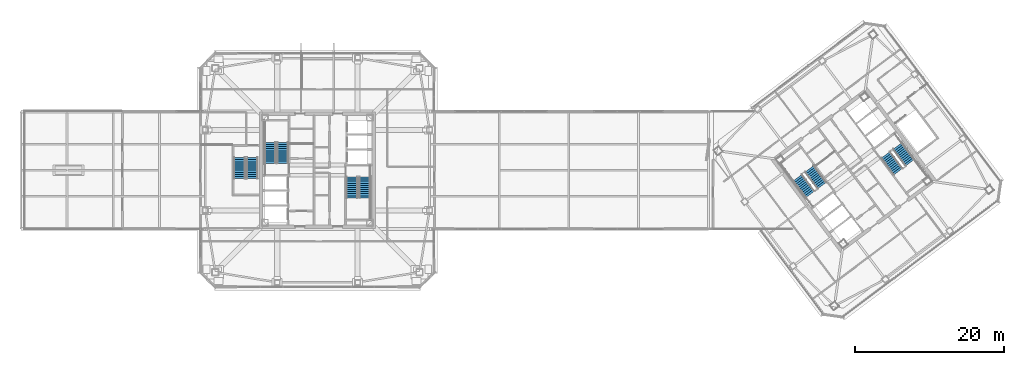
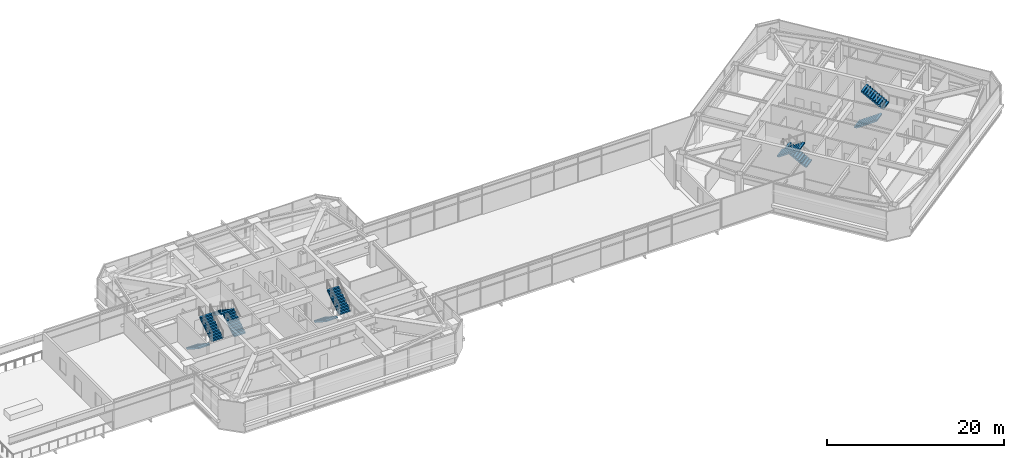
# One storey, part 45 of 51: 10 stair flights, 5 elements without a shape of their own.
"""IFC4 building model written with IfcOpenShell, lengths in metres."""

from ifc_helpers import new_model, si_unit, direction, frame, origin, place, context, subcontext, project, spatial, polyline, outline, extrude, material, type_object, element, aggregate, save


model = new_model("IFC4")

# Units and contexts
model_context = context("Model", 3, precision=1e-05, world=origin(), true_north=direction((0.0, 1.0)))
body_context = subcontext(model_context, "Body", "Model", "MODEL_VIEW")
ifc_project = project(units=[si_unit("LENGTHUNIT", "METRE"), si_unit("AREAUNIT", "SQUARE_METRE"), si_unit("VOLUMEUNIT", "CUBIC_METRE"), si_unit("PLANEANGLEUNIT", "RADIAN"), si_unit("MASSUNIT", "GRAM", prefix="KILO")], contexts=[model_context])

# Site, building, storey
site_placement = place(None, origin())
site = spatial("IfcSite", under=ifc_project, at=site_placement, CompositionType="ELEMENT")
building_placement = place(site_placement, origin())
building = spatial("IfcBuilding", under=site, at=building_placement, Name="Tashvorn Skyway Center", CompositionType="ELEMENT")
storey_placement = place(building_placement, frame((0.0, 0.0, 259.39990234375)))
storey = spatial("IfcBuildingStorey", under=building, at=storey_placement, Name="L70", CompositionType="ELEMENT", Elevation=259.39990234375)

# Stair, stair flights
ifc_material = material(Name="Concrete C40/50", Category="concrete")
stair_type = type_object("IfcStairType", Name="STAIR-CORE-1500", PredefinedType="HALF_TURN_STAIR", material=ifc_material)
stair_1_placement = place(storey_placement, origin())
stair_1 = element("IfcStair", 1, at=stair_1_placement, inside=storey, type_object=stair_type, Name="L70 Tower 1 Exit Stair 1", PredefinedType="HALF_TURN_STAIR")
stair_flight_type = type_object("IfcStairFlightType", Name="SFLIGHT-1500", PredefinedType="STRAIGHT", material=ifc_material)
stair_flight_1_placement = place(storey_placement, frame((37.35009765625, 32.919921875, 0.0), z_axis=(0.0, 0.0, 1.0), x_axis=(0.0, 1.0, 0.0)))
stair_flight_1 = element("IfcStairFlight", 2, at=stair_flight_1_placement, type_object=stair_flight_type, Name="ST-T1-1 flight 1", NumberOfRisers=11, NumberOfTreads=10, PredefinedType="STRAIGHT", RiserHeight=0.181818182, TreadLength=0.28, context=body_context, shape_type="SweptSolid", body=[
    extrude(outline(polyline([(0.0, 0.0), (0.0, 0.181884765625), (0.280029296875, 0.181884765625), (0.280029296875, 0.363525390625), (0.56005859375, 0.363525390625), (0.56005859375, 0.54541015625), (0.840087890625, 0.54541015625), (0.840087890625, 0.727294921875), (1.1201171875, 0.727294921875), (1.1201171875, 0.9091796875), (1.39990234375, 0.9091796875), (1.39990234375, 1.0908203125), (1.679931640625, 1.0908203125), (1.679931640625, 1.272705078125), (1.9599609375, 1.272705078125), (1.9599609375, 1.45458984375), (2.239990234375, 1.45458984375), (2.239990234375, 1.636474609375), (2.52001953125, 1.636474609375), (2.52001953125, 1.818115234375), (2.800048828125, 1.818115234375), (2.800048828125, 2.0), (2.800048828125, 1.639404296875), (0.275146484375, 0.0), (0.0, 0.0)])), frame((0.0, 0.75, 0.0), z_axis=(0.0, -1.0, 0.0), x_axis=(1.0, 0.0, 0.0)), (0.0, 0.0, 1.0), 1.5),
])
stair_flight_2_placement = place(storey_placement, frame((35.64990234375, 35.719970703125, 2.0), z_axis=(0.0, 0.0, 1.0), x_axis=(0.0, -1.0, 0.0)))
stair_flight_2 = element("IfcStairFlight", 3, at=stair_flight_2_placement, type_object=stair_flight_type, Name="ST-T1-1 flight 2", NumberOfRisers=11, NumberOfTreads=10, PredefinedType="STRAIGHT", RiserHeight=0.181818182, TreadLength=0.28, context=body_context, shape_type="SweptSolid", body=[
    extrude(outline(polyline([(0.0, 0.0), (0.0, 0.181884765625), (0.280029296875, 0.181884765625), (0.280029296875, 0.363525390625), (0.56005859375, 0.363525390625), (0.56005859375, 0.54541015625), (0.840087890625, 0.54541015625), (0.840087890625, 0.727294921875), (1.1201171875, 0.727294921875), (1.1201171875, 0.9091796875), (1.39990234375, 0.9091796875), (1.39990234375, 1.0908203125), (1.679931640625, 1.0908203125), (1.679931640625, 1.272705078125), (1.9599609375, 1.272705078125), (1.9599609375, 1.45458984375), (2.239990234375, 1.45458984375), (2.239990234375, 1.636474609375), (2.52001953125, 1.636474609375), (2.52001953125, 1.818115234375), (2.800048828125, 1.818115234375), (2.800048828125, 2.0), (2.800048828125, 1.639404296875), (0.275146484375, 0.0), (0.0, 0.0)])), frame((0.0, 0.75, 0.0), z_axis=(0.0, -1.0, 0.0), x_axis=(1.0, 0.0, 0.0)), (0.0, 0.0, 1.0), 1.5),
])
aggregate(stair_1, [stair_flight_1, stair_flight_2])

stair_2_placement = place(storey_placement, origin())
stair_2 = element("IfcStair", 4, at=stair_2_placement, inside=storey, type_object=stair_type, Name="L70 Tower 1 Exit Stair 2", PredefinedType="HALF_TURN_STAIR")
stair_flight_3_placement = place(storey_placement, frame((46.64990234375, 31.080078125, 0.0), z_axis=(0.0, 0.0, 1.0), x_axis=(0.0, -1.0, 0.0)))
stair_flight_3 = element("IfcStairFlight", 5, at=stair_flight_3_placement, type_object=stair_flight_type, Name="ST-T1-2 flight 1", NumberOfRisers=11, NumberOfTreads=10, PredefinedType="STRAIGHT", RiserHeight=0.181818182, TreadLength=0.28, context=body_context, shape_type="SweptSolid", body=[
    extrude(outline(polyline([(0.0, 0.0), (0.0, 0.181884765625), (0.280029296875, 0.181884765625), (0.280029296875, 0.363525390625), (0.56005859375, 0.363525390625), (0.56005859375, 0.54541015625), (0.840087890625, 0.54541015625), (0.840087890625, 0.727294921875), (1.1201171875, 0.727294921875), (1.1201171875, 0.9091796875), (1.39990234375, 0.9091796875), (1.39990234375, 1.0908203125), (1.679931640625, 1.0908203125), (1.679931640625, 1.272705078125), (1.9599609375, 1.272705078125), (1.9599609375, 1.45458984375), (2.239990234375, 1.45458984375), (2.239990234375, 1.636474609375), (2.52001953125, 1.636474609375), (2.52001953125, 1.818115234375), (2.800048828125, 1.818115234375), (2.800048828125, 2.0), (2.800048828125, 1.639404296875), (0.275146484375, 0.0), (0.0, 0.0)])), frame((0.0, 0.75, 0.0), z_axis=(0.0, -1.0, 0.0), x_axis=(1.0, 0.0, 0.0)), (0.0, 0.0, 1.0), 1.5),
])
stair_flight_4_placement = place(storey_placement, frame((48.35009765625, 28.280029296875, 2.0), z_axis=(0.0, 0.0, 1.0), x_axis=(0.0, 1.0, 0.0)))
stair_flight_4 = element("IfcStairFlight", 6, at=stair_flight_4_placement, type_object=stair_flight_type, Name="ST-T1-2 flight 2", NumberOfRisers=11, NumberOfTreads=10, PredefinedType="STRAIGHT", RiserHeight=0.181818182, TreadLength=0.28, context=body_context, shape_type="SweptSolid", body=[
    extrude(outline(polyline([(0.0, 0.0), (0.0, 0.181884765625), (0.280029296875, 0.181884765625), (0.280029296875, 0.363525390625), (0.56005859375, 0.363525390625), (0.56005859375, 0.54541015625), (0.840087890625, 0.54541015625), (0.840087890625, 0.727294921875), (1.1201171875, 0.727294921875), (1.1201171875, 0.9091796875), (1.39990234375, 0.9091796875), (1.39990234375, 1.0908203125), (1.679931640625, 1.0908203125), (1.679931640625, 1.272705078125), (1.9599609375, 1.272705078125), (1.9599609375, 1.45458984375), (2.239990234375, 1.45458984375), (2.239990234375, 1.636474609375), (2.52001953125, 1.636474609375), (2.52001953125, 1.818115234375), (2.800048828125, 1.818115234375), (2.800048828125, 2.0), (2.800048828125, 1.639404296875), (0.275146484375, 0.0), (0.0, 0.0)])), frame((0.0, 0.75, 0.0), z_axis=(0.0, -1.0, 0.0), x_axis=(1.0, 0.0, 0.0)), (0.0, 0.0, 1.0), 1.5),
])
aggregate(stair_2, [stair_flight_3, stair_flight_4])

stair_3_placement = place(storey_placement, origin())
stair_3 = element("IfcStair", 7, at=stair_3_placement, inside=storey, type_object=stair_type, Name="L70 Tower 2 Exit Stair 1", PredefinedType="HALF_TURN_STAIR")
stair_flight_5_placement = place(storey_placement, frame((109.72802734375, 29.946044921875, 0.0), z_axis=(0.0, 0.0, 1.0), x_axis=(-0.600000004945, 0.799999996291, 0.0)))
stair_flight_5 = element("IfcStairFlight", 8, at=stair_flight_5_placement, type_object=stair_flight_type, Name="ST-T2-1 flight 1", NumberOfRisers=11, NumberOfTreads=10, PredefinedType="STRAIGHT", RiserHeight=0.181818182, TreadLength=0.28, context=body_context, shape_type="SweptSolid", body=[
    extrude(outline(polyline([(0.0, 0.0), (0.0, 0.181884765625), (0.280029296875, 0.181884765625), (0.280029296875, 0.363525390625), (0.56005859375, 0.363525390625), (0.56005859375, 0.54541015625), (0.840087890625, 0.54541015625), (0.840087890625, 0.727294921875), (1.1201171875, 0.727294921875), (1.1201171875, 0.9091796875), (1.39990234375, 0.9091796875), (1.39990234375, 1.0908203125), (1.679931640625, 1.0908203125), (1.679931640625, 1.272705078125), (1.9599609375, 1.272705078125), (1.9599609375, 1.45458984375), (2.239990234375, 1.45458984375), (2.239990234375, 1.636474609375), (2.52001953125, 1.636474609375), (2.52001953125, 1.818115234375), (2.800048828125, 1.818115234375), (2.800048828125, 2.0), (2.800048828125, 1.639404296875), (0.275146484375, 0.0), (0.0, 0.0)])), frame((0.0, 0.75, 0.0), z_axis=(0.0, -1.0, 0.0), x_axis=(1.0, 0.0, 0.0)), (0.0, 0.0, 1.0), 1.5),
])
stair_flight_6_placement = place(storey_placement, frame((106.464111328125, 30.998046875, 2.0), z_axis=(0.0, 0.0, 1.0), x_axis=(0.600000004945, -0.799999996291, 0.0)))
stair_flight_6 = element("IfcStairFlight", 9, at=stair_flight_6_placement, type_object=stair_flight_type, Name="ST-T2-1 flight 2", NumberOfRisers=11, NumberOfTreads=10, PredefinedType="STRAIGHT", RiserHeight=0.181818182, TreadLength=0.28, context=body_context, shape_type="SweptSolid", body=[
    extrude(outline(polyline([(0.0, 0.0), (0.0, 0.181884765625), (0.280029296875, 0.181884765625), (0.280029296875, 0.363525390625), (0.56005859375, 0.363525390625), (0.56005859375, 0.54541015625), (0.840087890625, 0.54541015625), (0.840087890625, 0.727294921875), (1.1201171875, 0.727294921875), (1.1201171875, 0.9091796875), (1.39990234375, 0.9091796875), (1.39990234375, 1.0908203125), (1.679931640625, 1.0908203125), (1.679931640625, 1.272705078125), (1.9599609375, 1.272705078125), (1.9599609375, 1.45458984375), (2.239990234375, 1.45458984375), (2.239990234375, 1.636474609375), (2.52001953125, 1.636474609375), (2.52001953125, 1.818115234375), (2.800048828125, 1.818115234375), (2.800048828125, 2.0), (2.800048828125, 1.639404296875), (0.275146484375, 0.0), (0.0, 0.0)])), frame((0.0, 0.75, 0.0), z_axis=(0.0, -1.0, 0.0), x_axis=(1.0, 0.0, 0.0)), (0.0, 0.0, 1.0), 1.5),
])
aggregate(stair_3, [stair_flight_5, stair_flight_6])

stair_4_placement = place(storey_placement, origin())
stair_4 = element("IfcStair", 10, at=stair_4_placement, inside=storey, type_object=stair_type, Name="L70 Tower 2 Exit Stair 2", PredefinedType="HALF_TURN_STAIR")
stair_flight_7_placement = place(storey_placement, frame((118.27197265625, 34.053955078125, 0.0), z_axis=(0.0, 0.0, 1.0), x_axis=(0.600000004945, -0.799999996291, 0.0)))
stair_flight_7 = element("IfcStairFlight", 11, at=stair_flight_7_placement, type_object=stair_flight_type, Name="ST-T2-2 flight 1", NumberOfRisers=11, NumberOfTreads=10, PredefinedType="STRAIGHT", RiserHeight=0.181818182, TreadLength=0.28, context=body_context, shape_type="SweptSolid", body=[
    extrude(outline(polyline([(0.0, 0.0), (0.0, 0.181884765625), (0.280029296875, 0.181884765625), (0.280029296875, 0.363525390625), (0.56005859375, 0.363525390625), (0.56005859375, 0.54541015625), (0.840087890625, 0.54541015625), (0.840087890625, 0.727294921875), (1.1201171875, 0.727294921875), (1.1201171875, 0.9091796875), (1.39990234375, 0.9091796875), (1.39990234375, 1.0908203125), (1.679931640625, 1.0908203125), (1.679931640625, 1.272705078125), (1.9599609375, 1.272705078125), (1.9599609375, 1.45458984375), (2.239990234375, 1.45458984375), (2.239990234375, 1.636474609375), (2.52001953125, 1.636474609375), (2.52001953125, 1.818115234375), (2.800048828125, 1.818115234375), (2.800048828125, 2.0), (2.800048828125, 1.639404296875), (0.275146484375, 0.0), (0.0, 0.0)])), frame((0.0, 0.75, 0.0), z_axis=(0.0, -1.0, 0.0), x_axis=(1.0, 0.0, 0.0)), (0.0, 0.0, 1.0), 1.5),
])
stair_flight_8_placement = place(storey_placement, frame((121.535888671875, 33.001953125, 2.0), z_axis=(0.0, 0.0, 1.0), x_axis=(-0.600000004945, 0.799999996291, 0.0)))
stair_flight_8 = element("IfcStairFlight", 12, at=stair_flight_8_placement, type_object=stair_flight_type, Name="ST-T2-2 flight 2", NumberOfRisers=11, NumberOfTreads=10, PredefinedType="STRAIGHT", RiserHeight=0.181818182, TreadLength=0.28, context=body_context, shape_type="SweptSolid", body=[
    extrude(outline(polyline([(0.0, 0.0), (0.0, 0.181884765625), (0.280029296875, 0.181884765625), (0.280029296875, 0.363525390625), (0.56005859375, 0.363525390625), (0.56005859375, 0.54541015625), (0.840087890625, 0.54541015625), (0.840087890625, 0.727294921875), (1.1201171875, 0.727294921875), (1.1201171875, 0.9091796875), (1.39990234375, 0.9091796875), (1.39990234375, 1.0908203125), (1.679931640625, 1.0908203125), (1.679931640625, 1.272705078125), (1.9599609375, 1.272705078125), (1.9599609375, 1.45458984375), (2.239990234375, 1.45458984375), (2.239990234375, 1.636474609375), (2.52001953125, 1.636474609375), (2.52001953125, 1.818115234375), (2.800048828125, 1.818115234375), (2.800048828125, 2.0), (2.800048828125, 1.639404296875), (0.275146484375, 0.0), (0.0, 0.0)])), frame((0.0, 0.75, 0.0), z_axis=(0.0, -1.0, 0.0), x_axis=(1.0, 0.0, 0.0)), (0.0, 0.0, 1.0), 1.5),
])
aggregate(stair_4, [stair_flight_7, stair_flight_8])

stair_5_placement = place(storey_placement, origin())
stair_5 = element("IfcStair", 13, at=stair_5_placement, inside=storey, type_object=stair_type, Name="L70 Tower 1 Exit Stair 3", PredefinedType="HALF_TURN_STAIR")
stair_flight_9_placement = place(storey_placement, frame((31.550048828125, 33.679931640625, 0.0), z_axis=(0.0, 0.0, 1.0), x_axis=(0.0, -1.0, 0.0)))
stair_flight_9 = element("IfcStairFlight", 14, at=stair_flight_9_placement, type_object=stair_flight_type, Name="ST-T1-3 flight 1", NumberOfRisers=11, NumberOfTreads=10, PredefinedType="STRAIGHT", RiserHeight=0.181818182, TreadLength=0.28, context=body_context, shape_type="SweptSolid", body=[
    extrude(outline(polyline([(0.0, 0.0), (0.0, 0.181884765625), (0.280029296875, 0.181884765625), (0.280029296875, 0.363525390625), (0.56005859375, 0.363525390625), (0.56005859375, 0.54541015625), (0.840087890625, 0.54541015625), (0.840087890625, 0.727294921875), (1.1201171875, 0.727294921875), (1.1201171875, 0.9091796875), (1.39990234375, 0.9091796875), (1.39990234375, 1.0908203125), (1.679931640625, 1.0908203125), (1.679931640625, 1.272705078125), (1.9599609375, 1.272705078125), (1.9599609375, 1.45458984375), (2.239990234375, 1.45458984375), (2.239990234375, 1.636474609375), (2.52001953125, 1.636474609375), (2.52001953125, 1.818115234375), (2.800048828125, 1.818115234375), (2.800048828125, 2.0), (2.800048828125, 1.639404296875), (0.275146484375, 0.0), (0.0, 0.0)])), frame((0.0, 0.75, 0.0), z_axis=(0.0, -1.0, 0.0), x_axis=(1.0, 0.0, 0.0)), (0.0, 0.0, 1.0), 1.5),
])
stair_flight_10_placement = place(storey_placement, frame((33.25, 30.8798828125, 2.0), z_axis=(0.0, 0.0, 1.0), x_axis=(0.0, 1.0, 0.0)))
stair_flight_10 = element("IfcStairFlight", 15, at=stair_flight_10_placement, type_object=stair_flight_type, Name="ST-T1-3 flight 2", NumberOfRisers=11, NumberOfTreads=10, PredefinedType="STRAIGHT", RiserHeight=0.181818182, TreadLength=0.28, context=body_context, shape_type="SweptSolid", body=[
    extrude(outline(polyline([(0.0, 0.0), (0.0, 0.181884765625), (0.280029296875, 0.181884765625), (0.280029296875, 0.363525390625), (0.56005859375, 0.363525390625), (0.56005859375, 0.54541015625), (0.840087890625, 0.54541015625), (0.840087890625, 0.727294921875), (1.1201171875, 0.727294921875), (1.1201171875, 0.9091796875), (1.39990234375, 0.9091796875), (1.39990234375, 1.0908203125), (1.679931640625, 1.0908203125), (1.679931640625, 1.272705078125), (1.9599609375, 1.272705078125), (1.9599609375, 1.45458984375), (2.239990234375, 1.45458984375), (2.239990234375, 1.636474609375), (2.52001953125, 1.636474609375), (2.52001953125, 1.818115234375), (2.800048828125, 1.818115234375), (2.800048828125, 2.0), (2.800048828125, 1.639404296875), (0.275146484375, 0.0), (0.0, 0.0)])), frame((0.0, 0.75, 0.0), z_axis=(0.0, -1.0, 0.0), x_axis=(1.0, 0.0, 0.0)), (0.0, 0.0, 1.0), 1.5),
])
aggregate(stair_5, [stair_flight_9, stair_flight_10])

save(model, "model.ifc")
